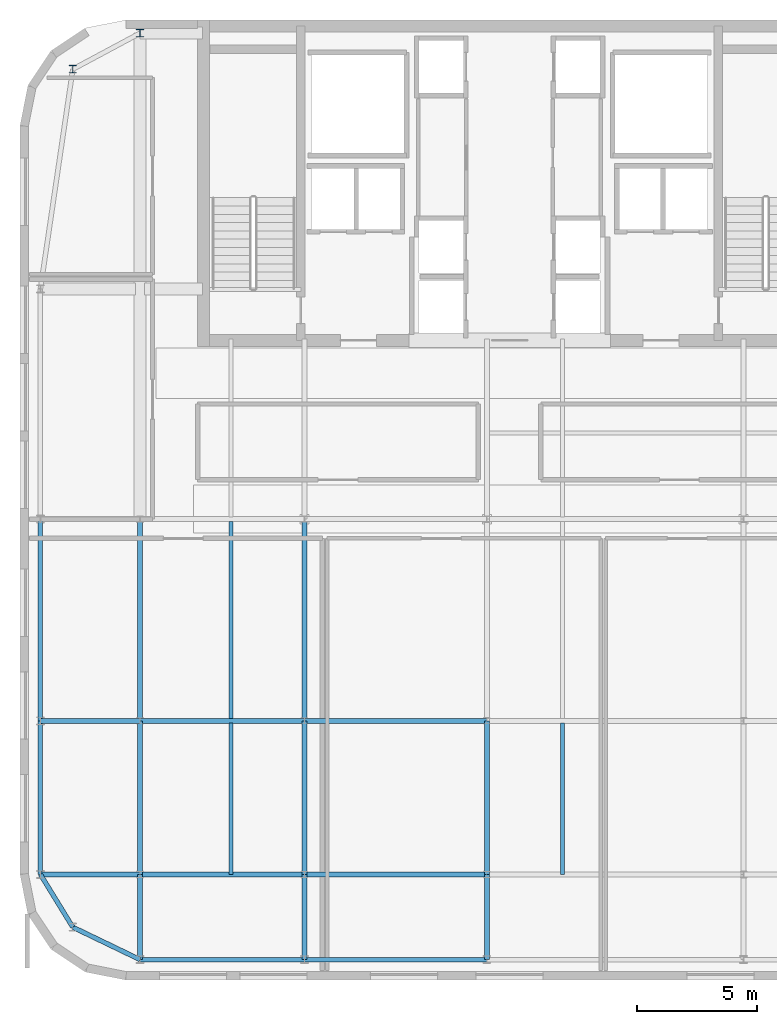
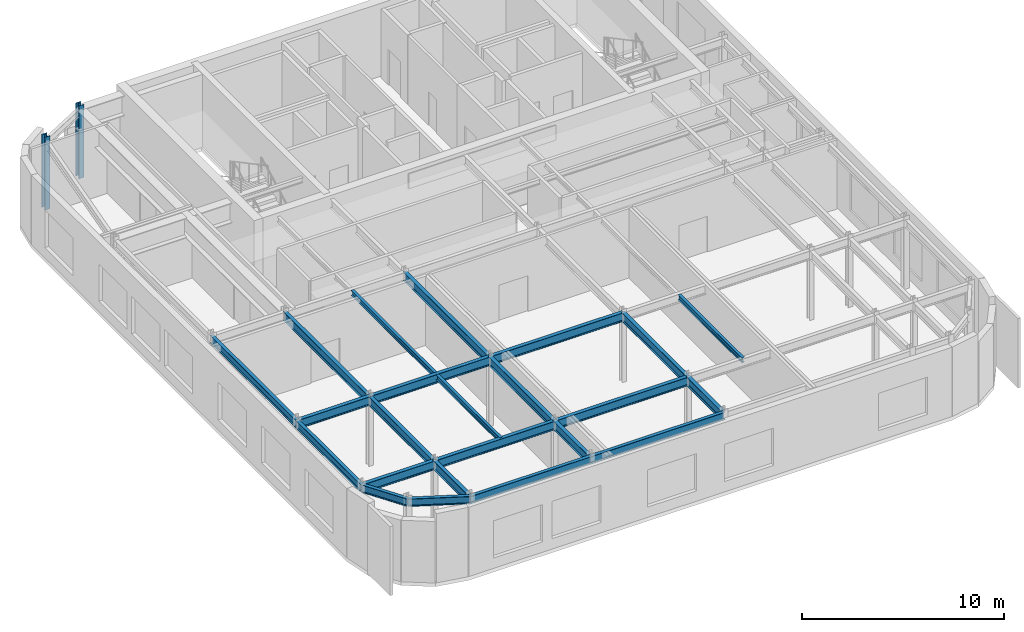
# One storey, part 4 of 10: 23 beams, 2 columns.
"""IFC4 building model written with IfcOpenShell, lengths in metres."""

from ifc_helpers import new_model, si_unit, direction, frame, origin, origin_2d, place, context, subcontext, project, spatial, i_section, extrude, source, transform, mapped, material, material_profile, profile_set, type_object, type_shapes, element, save


model = new_model("IFC4")

# Units and contexts
model_context = context("Model", 3, precision=1e-05, world=origin(), true_north=direction((0.0, 1.0)))
body_context = subcontext(model_context, "Body", "Model", "MODEL_VIEW")
ifc_project = project(units=[si_unit("LENGTHUNIT", "METRE"), si_unit("AREAUNIT", "SQUARE_METRE"), si_unit("VOLUMEUNIT", "CUBIC_METRE"), si_unit("PLANEANGLEUNIT", "RADIAN"), si_unit("MASSUNIT", "GRAM", prefix="KILO")], contexts=[model_context])

# Site, building, storey
site_placement = place(None, origin())
site = spatial("IfcSite", under=ifc_project, at=site_placement, CompositionType="ELEMENT")
building_placement = place(site_placement, origin())
building = spatial("IfcBuilding", under=site, at=building_placement, Name="Tolvann Quenvar Hotel", CompositionType="ELEMENT")
storey_placement = place(building_placement, frame((0.0, 0.0, 282.14990234375)))
storey = spatial("IfcBuildingStorey", under=building, at=storey_placement, Name="L75", CompositionType="ELEMENT", Elevation=282.14990234375)

# Columns
ifc_material = material(Name="Steel Grade 350", Category="steel")
ifc_material_profile_1 = material_profile(ifc_material, i_section(OverallWidth=0.306884765625, OverallDepth=0.31494140625, WebThickness=0.011962890625, FlangeThickness=0.018798828125, FilletRadius=0.0166015625, at=origin_2d()), Name="310UC118")
ifc_profile_set_1 = profile_set([ifc_material_profile_1], Name="Steel Grade 350")
column_type = type_object("IfcColumnType", Name="COL_310UC118", PredefinedType="COLUMN", material=ifc_profile_set_1)
shared_shape_1 = source(origin(), body_context, "Body", "SweptSolid", [
    extrude(i_section(OverallWidth=0.306884765625, OverallDepth=0.31494140625, WebThickness=0.011962890625, FlangeThickness=0.018798828125, FilletRadius=0.0166015625, at=origin_2d()), origin(), (0.0, 0.0, 1.0), 4.400146484375),
])
type_shapes(column_type, [shared_shape_1])
for number, where, z_axis, x_axis, name in (
    (1, (4.800048828125, 43.14990234375, 0.0), (0.0, 0.0, 1.0), (1.0, 0.0, 0.0), "Column BN (L75)"),
    (2, (7.60009765625, 44.64990234375, 0.0), (0.0, 0.0, 1.0), (1.0, 0.0, 0.0), "Column CN (L75)"),
):
    element("IfcColumn", number, at=place(storey_placement, frame(where, z_axis=z_axis, x_axis=x_axis)), inside=storey, type_object=column_type, Name=name, PredefinedType="COLUMN", context=body_context, shape_type="MappedRepresentation", body=[
        mapped(shared_shape_1, transform((0.0, 0.0, 0.0), x_axis=(1.0, 0.0, 0.0), y_axis=(0.0, 1.0, 0.0), z_axis=(0.0, 0.0, 1.0), scale=1.0)),
    ])

# Beams
ifc_material_profile_2 = material_profile(ifc_material, i_section(OverallWidth=0.208984375, OverallDepth=0.532958984375, WebThickness=0.01025390625, FlangeThickness=0.015625, FilletRadius=0.013916015625, at=origin_2d()), Name="530UB92")
ifc_profile_set_2 = profile_set([ifc_material_profile_2], Name="Steel Grade 350")
beam_type_1 = type_object("IfcBeamType", Name="BM_GIRD_530UB92", PredefinedType="BEAM", material=ifc_profile_set_2)
shared_shape_2 = source(origin(), body_context, "Body", "SweptSolid", [
    extrude(i_section(OverallWidth=0.208984375, OverallDepth=0.532958984375, WebThickness=0.01025390625, FlangeThickness=0.015625, FilletRadius=0.013916015625, at=origin_2d()), origin(), (0.0, 0.0, 1.0), 8.39990234375),
])
for number, where, z_axis, x_axis, name in (
    (3, (7.60009765625, 16.0, 3.91357421875), (0.0, 1.0, 0.0), (-1.0, 0.0, 0.0), "BM-L75-NS-C4-C5"),
    (4, (14.449951171875, 16.0, 3.91357421875), (0.0, 1.0, 0.0), (-1.0, 0.0, 0.0), "BM-L75-NS-D4-D5"),
):
    element("IfcBeam", number, at=place(storey_placement, frame(where, z_axis=z_axis, x_axis=x_axis)), inside=storey, type_object=beam_type_1, Name=name, PredefinedType="BEAM", context=body_context, shape_type="MappedRepresentation", body=[
        mapped(shared_shape_2, transform((0.0, 0.0, 0.0), x_axis=(1.0, 0.0, 0.0), y_axis=(0.0, 1.0, 0.0), z_axis=(0.0, 0.0, 1.0), scale=1.0)),
    ])
ifc_material_profile_3 = material_profile(ifc_material, i_section(OverallWidth=0.19091796875, OverallDepth=0.4599609375, WebThickness=0.010009765625, FlangeThickness=0.01611328125, FilletRadius=0.011474609375, at=origin_2d()), Name="460UB82")
ifc_profile_set_3 = profile_set([ifc_material_profile_3], Name="Steel Grade 350")
beam_type_2 = type_object("IfcBeamType", Name="BM_SPAND_460UB82", PredefinedType="SPANDREL", material=ifc_profile_set_3)
shared_shape_3 = source(origin(), body_context, "Body", "SweptSolid", [
    extrude(i_section(OverallWidth=0.19091796875, OverallDepth=0.4599609375, WebThickness=0.010009765625, FlangeThickness=0.01611328125, FilletRadius=0.011474609375, at=origin_2d()), origin(), (0.0, 0.0, 1.0), 8.39990234375),
])
beam_1_placement = place(storey_placement, frame((3.449951171875, 16.0, 3.9501953125), z_axis=(0.0, 1.0, 0.0), x_axis=(-1.0, 0.0, 0.0)))
element("IfcBeam", 5, at=beam_1_placement, inside=storey, type_object=beam_type_2, Name="BM-L75-NS-B4-B5", PredefinedType="SPANDREL", context=body_context, shape_type="MappedRepresentation", body=[
    mapped(shared_shape_3, transform((0.0, 0.0, 0.0), x_axis=(1.0, 0.0, 0.0), y_axis=(0.0, 1.0, 0.0), z_axis=(0.0, 0.0, 1.0), scale=1.0)),
])
shared_shape_4 = source(origin(), body_context, "Body", "SweptSolid", [
    extrude(i_section(OverallWidth=0.19091796875, OverallDepth=0.4599609375, WebThickness=0.010009765625, FlangeThickness=0.01611328125, FilletRadius=0.011474609375, at=origin_2d()), origin(), (0.0, 0.0, 1.0), 6.849853515625),
])
beam_2_placement = place(storey_placement, frame((7.60009765625, 6.050048828125, 3.9501953125), z_axis=(1.0, 0.0, 0.0), x_axis=(0.0, 1.0, 0.0)))
element("IfcBeam", 6, at=beam_2_placement, inside=storey, type_object=beam_type_2, Name="BM-L75-EW-2-C2-D2", PredefinedType="SPANDREL", context=body_context, shape_type="MappedRepresentation", body=[
    mapped(shared_shape_4, transform((0.0, 0.0, 0.0), x_axis=(1.0, 0.0, 0.0), y_axis=(0.0, 1.0, 0.0), z_axis=(0.0, 0.0, 1.0), scale=1.0)),
])
shared_shape_5 = source(origin(), body_context, "Body", "SweptSolid", [
    extrude(i_section(OverallWidth=0.208984375, OverallDepth=0.532958984375, WebThickness=0.01025390625, FlangeThickness=0.015625, FilletRadius=0.013916015625, at=origin_2d()), origin(), (0.0, 0.0, 1.0), 4.150146484375),
])
for number, where, z_axis, x_axis, name in (
    (7, (3.449951171875, 9.60009765625, 3.91357421875), (1.0, 0.0, 0.0), (0.0, 1.0, 0.0), "BM-L75-EW-3-B3-C3"),
    (8, (3.449951171875, 16.0, 3.91357421875), (1.0, 0.0, 0.0), (0.0, 1.0, 0.0), "BM-L75-EW-4-B4-C4"),
):
    element("IfcBeam", number, at=place(storey_placement, frame(where, z_axis=z_axis, x_axis=x_axis)), inside=storey, type_object=beam_type_1, Name=name, PredefinedType="BEAM", context=body_context, shape_type="MappedRepresentation", body=[
        mapped(shared_shape_5, transform((0.0, 0.0, 0.0), x_axis=(1.0, 0.0, 0.0), y_axis=(0.0, 1.0, 0.0), z_axis=(0.0, 0.0, 1.0), scale=1.0)),
    ])
shared_shape_6 = source(origin(), body_context, "Body", "SweptSolid", [
    extrude(i_section(OverallWidth=0.208984375, OverallDepth=0.532958984375, WebThickness=0.01025390625, FlangeThickness=0.015625, FilletRadius=0.013916015625, at=origin_2d()), origin(), (0.0, 0.0, 1.0), 6.849853515625),
])
for number, where, z_axis, x_axis, name in (
    (9, (7.60009765625, 9.60009765625, 3.91357421875), (1.0, 0.0, 0.0), (0.0, 1.0, 0.0), "BM-L75-EW-3-C3-D3"),
    (10, (7.60009765625, 16.0, 3.91357421875), (1.0, 0.0, 0.0), (0.0, 1.0, 0.0), "BM-L75-EW-4-C4-D4"),
):
    element("IfcBeam", number, at=place(storey_placement, frame(where, z_axis=z_axis, x_axis=x_axis)), inside=storey, type_object=beam_type_1, Name=name, PredefinedType="BEAM", context=body_context, shape_type="MappedRepresentation", body=[
        mapped(shared_shape_6, transform((0.0, 0.0, 0.0), x_axis=(1.0, 0.0, 0.0), y_axis=(0.0, 1.0, 0.0), z_axis=(0.0, 0.0, 1.0), scale=1.0)),
    ])
shared_shape_7 = source(origin(), body_context, "Body", "SweptSolid", [
    extrude(i_section(OverallWidth=0.208984375, OverallDepth=0.532958984375, WebThickness=0.01025390625, FlangeThickness=0.015625, FilletRadius=0.013916015625, at=origin_2d()), origin(), (0.0, 0.0, 1.0), 7.60009765625),
])
for number, where, z_axis, x_axis, name in (
    (11, (14.449951171875, 9.60009765625, 3.91357421875), (1.0, 0.0, 0.0), (0.0, 1.0, 0.0), "BM-L75-EW-3-D3-E3"),
    (12, (14.449951171875, 16.0, 3.91357421875), (1.0, 0.0, 0.0), (0.0, 1.0, 0.0), "BM-L75-EW-4-D4-E4"),
):
    element("IfcBeam", number, at=place(storey_placement, frame(where, z_axis=z_axis, x_axis=x_axis)), inside=storey, type_object=beam_type_1, Name=name, PredefinedType="BEAM", context=body_context, shape_type="MappedRepresentation", body=[
        mapped(shared_shape_7, transform((0.0, 0.0, 0.0), x_axis=(1.0, 0.0, 0.0), y_axis=(0.0, 1.0, 0.0), z_axis=(0.0, 0.0, 1.0), scale=1.0)),
    ])
ifc_material_profile_4 = material_profile(ifc_material, i_section(OverallWidth=0.166015625, OverallDepth=0.306884765625, WebThickness=0.006591796875, FlangeThickness=0.01171875, FilletRadius=0.011474609375, at=origin_2d()), Name="310UB46")
ifc_profile_set_4 = profile_set([ifc_material_profile_4], Name="Steel Grade 350")
beam_type_3 = type_object("IfcBeamType", Name="BM_JOIST_310UB46", PredefinedType="JOIST", material=ifc_profile_set_4)
shared_shape_8 = source(origin(), body_context, "Body", "SweptSolid", [
    extrude(i_section(OverallWidth=0.166015625, OverallDepth=0.306884765625, WebThickness=0.006591796875, FlangeThickness=0.01171875, FilletRadius=0.011474609375, at=origin_2d()), origin(), (0.0, 0.0, 1.0), 8.203125),
])
beam_3_placement = place(storey_placement, frame((11.39990234375, 16.098388671875, 4.026611328125), z_axis=(0.0, 1.0, 0.0), x_axis=(-1.0, 0.0, 0.0)))
element("IfcBeam", 13, at=beam_3_placement, inside=storey, type_object=beam_type_3, Name="BJ-L75-114-160", PredefinedType="JOIST", context=body_context, shape_type="MappedRepresentation", body=[
    mapped(shared_shape_8, transform((0.0, 0.0, 0.0), x_axis=(1.0, 0.0, 0.0), y_axis=(0.0, 1.0, 0.0), z_axis=(0.0, 0.0, 1.0), scale=1.0)),
])
shared_shape_9 = source(origin(), body_context, "Body", "SweptSolid", [
    extrude(i_section(OverallWidth=0.19091796875, OverallDepth=0.4599609375, WebThickness=0.010009765625, FlangeThickness=0.01611328125, FilletRadius=0.011474609375, at=origin_2d()), origin(), (0.0, 0.0, 1.0), 3.1083984375),
])
beam_4_placement = place(storey_placement, frame((4.800048828125, 7.39990234375, 3.9501953125), z_axis=(0.900790078459, -0.434254803715, 0.0), x_axis=(0.434254803715, 0.900790078459, 0.0)))
element("IfcBeam", 14, at=beam_4_placement, inside=storey, type_object=beam_type_2, Name="BM-L75-EW-2-B2-C2", PredefinedType="SPANDREL", context=body_context, shape_type="MappedRepresentation", body=[
    mapped(shared_shape_9, transform((0.0, 0.0, 0.0), x_axis=(1.0, 0.0, 0.0), y_axis=(0.0, 1.0, 0.0), z_axis=(0.0, 0.0, 1.0), scale=1.0)),
])
shared_shape_10 = source(origin(), body_context, "Body", "SweptSolid", [
    extrude(i_section(OverallWidth=0.19091796875, OverallDepth=0.4599609375, WebThickness=0.010009765625, FlangeThickness=0.01611328125, FilletRadius=0.011474609375, at=origin_2d()), origin(), (0.0, 0.0, 1.0), 7.60009765625),
])
beam_5_placement = place(storey_placement, frame((14.449951171875, 6.050048828125, 3.9501953125), z_axis=(1.0, 0.0, 0.0), x_axis=(0.0, 1.0, 0.0)))
element("IfcBeam", 15, at=beam_5_placement, inside=storey, type_object=beam_type_2, Name="BM-L75-EW-2-D2-E2", PredefinedType="SPANDREL", context=body_context, shape_type="MappedRepresentation", body=[
    mapped(shared_shape_10, transform((0.0, 0.0, 0.0), x_axis=(1.0, 0.0, 0.0), y_axis=(0.0, 1.0, 0.0), z_axis=(0.0, 0.0, 1.0), scale=1.0)),
])
shared_shape_11 = source(origin(), body_context, "Body", "SweptSolid", [
    extrude(i_section(OverallWidth=0.19091796875, OverallDepth=0.4599609375, WebThickness=0.010009765625, FlangeThickness=0.01611328125, FilletRadius=0.011474609375, at=origin_2d()), origin(), (0.0, 0.0, 1.0), 2.581298828125),
])
beam_6_placement = place(storey_placement, frame((4.800048828125, 7.39990234375, 3.9501953125), z_axis=(-0.523009973863, 0.852326561384, 0.0), x_axis=(-0.852326561384, -0.523009973863, 0.0)))
element("IfcBeam", 16, at=beam_6_placement, inside=storey, type_object=beam_type_2, Name="BM-L75-NS-B2-B3", PredefinedType="SPANDREL", context=body_context, shape_type="MappedRepresentation", body=[
    mapped(shared_shape_11, transform((0.0, 0.0, 0.0), x_axis=(1.0, 0.0, 0.0), y_axis=(0.0, 1.0, 0.0), z_axis=(0.0, 0.0, 1.0), scale=1.0)),
])
shared_shape_12 = source(origin(), body_context, "Body", "SweptSolid", [
    extrude(i_section(OverallWidth=0.19091796875, OverallDepth=0.4599609375, WebThickness=0.010009765625, FlangeThickness=0.01611328125, FilletRadius=0.011474609375, at=origin_2d()), origin(), (0.0, 0.0, 1.0), 6.39990234375),
])
type_shapes(beam_type_2, [shared_shape_3, shared_shape_4, shared_shape_9, shared_shape_10, shared_shape_11, shared_shape_12])
beam_7_placement = place(storey_placement, frame((3.449951171875, 9.60009765625, 3.9501953125), z_axis=(0.0, 1.0, 0.0), x_axis=(-1.0, 0.0, 0.0)))
element("IfcBeam", 17, at=beam_7_placement, inside=storey, type_object=beam_type_2, Name="BM-L75-NS-B3-B4", PredefinedType="SPANDREL", context=body_context, shape_type="MappedRepresentation", body=[
    mapped(shared_shape_12, transform((0.0, 0.0, 0.0), x_axis=(1.0, 0.0, 0.0), y_axis=(0.0, 1.0, 0.0), z_axis=(0.0, 0.0, 1.0), scale=1.0)),
])
shared_shape_13 = source(origin(), body_context, "Body", "SweptSolid", [
    extrude(i_section(OverallWidth=0.208984375, OverallDepth=0.532958984375, WebThickness=0.01025390625, FlangeThickness=0.015625, FilletRadius=0.013916015625, at=origin_2d()), origin(), (0.0, 0.0, 1.0), 3.550048828125),
])
for number, where, z_axis, x_axis, name in (
    (18, (7.60009765625, 6.050048828125, 3.91357421875), (0.0, 1.0, 0.0), (-1.0, 0.0, 0.0), "BM-L75-NS-C2-C3"),
    (19, (14.449951171875, 6.050048828125, 3.91357421875), (0.0, 1.0, 0.0), (-1.0, 0.0, 0.0), "BM-L75-NS-D2-D3"),
    (20, (22.050048828125, 6.050048828125, 3.91357421875), (0.0, 1.0, 0.0), (-1.0, 0.0, 0.0), "BM-L75-NS-E2-E3"),
):
    element("IfcBeam", number, at=place(storey_placement, frame(where, z_axis=z_axis, x_axis=x_axis)), inside=storey, type_object=beam_type_1, Name=name, PredefinedType="BEAM", context=body_context, shape_type="MappedRepresentation", body=[
        mapped(shared_shape_13, transform((0.0, 0.0, 0.0), x_axis=(1.0, 0.0, 0.0), y_axis=(0.0, 1.0, 0.0), z_axis=(0.0, 0.0, 1.0), scale=1.0)),
    ])
shared_shape_14 = source(origin(), body_context, "Body", "SweptSolid", [
    extrude(i_section(OverallWidth=0.208984375, OverallDepth=0.532958984375, WebThickness=0.01025390625, FlangeThickness=0.015625, FilletRadius=0.013916015625, at=origin_2d()), origin(), (0.0, 0.0, 1.0), 6.39990234375),
])
type_shapes(beam_type_1, [shared_shape_2, shared_shape_5, shared_shape_6, shared_shape_7, shared_shape_13, shared_shape_14])
for number, where, z_axis, x_axis, name in (
    (21, (7.60009765625, 9.60009765625, 3.91357421875), (0.0, 1.0, 0.0), (-1.0, 0.0, 0.0), "BM-L75-NS-C3-C4"),
    (22, (14.449951171875, 9.60009765625, 3.91357421875), (0.0, 1.0, 0.0), (-1.0, 0.0, 0.0), "BM-L75-NS-D3-D4"),
    (23, (22.050048828125, 9.60009765625, 3.91357421875), (0.0, 1.0, 0.0), (-1.0, 0.0, 0.0), "BM-L75-NS-E3-E4"),
):
    element("IfcBeam", number, at=place(storey_placement, frame(where, z_axis=z_axis, x_axis=x_axis)), inside=storey, type_object=beam_type_1, Name=name, PredefinedType="BEAM", context=body_context, shape_type="MappedRepresentation", body=[
        mapped(shared_shape_14, transform((0.0, 0.0, 0.0), x_axis=(1.0, 0.0, 0.0), y_axis=(0.0, 1.0, 0.0), z_axis=(0.0, 0.0, 1.0), scale=1.0)),
    ])
shared_shape_15 = source(origin(), body_context, "Body", "SweptSolid", [
    extrude(i_section(OverallWidth=0.166015625, OverallDepth=0.306884765625, WebThickness=0.006591796875, FlangeThickness=0.01171875, FilletRadius=0.011474609375, at=origin_2d()), origin(), (0.0, 0.0, 1.0), 6.301513671875),
])
type_shapes(beam_type_3, [shared_shape_8, shared_shape_15])
for number, where, z_axis, x_axis, name in (
    (24, (11.39990234375, 9.60009765625, 4.026611328125), (0.0, 1.0, 0.0), (-1.0, 0.0, 0.0), "BJ-L75-114-96"),
    (25, (25.199951171875, 9.60009765625, 4.026611328125), (0.0, 1.0, 0.0), (-1.0, 0.0, 0.0), "BJ-L75-252-96"),
):
    element("IfcBeam", number, at=place(storey_placement, frame(where, z_axis=z_axis, x_axis=x_axis)), inside=storey, type_object=beam_type_3, Name=name, PredefinedType="JOIST", context=body_context, shape_type="MappedRepresentation", body=[
        mapped(shared_shape_15, transform((0.0, 0.0, 0.0), x_axis=(1.0, 0.0, 0.0), y_axis=(0.0, 1.0, 0.0), z_axis=(0.0, 0.0, 1.0), scale=1.0)),
    ])

save(model, "model.ifc")
